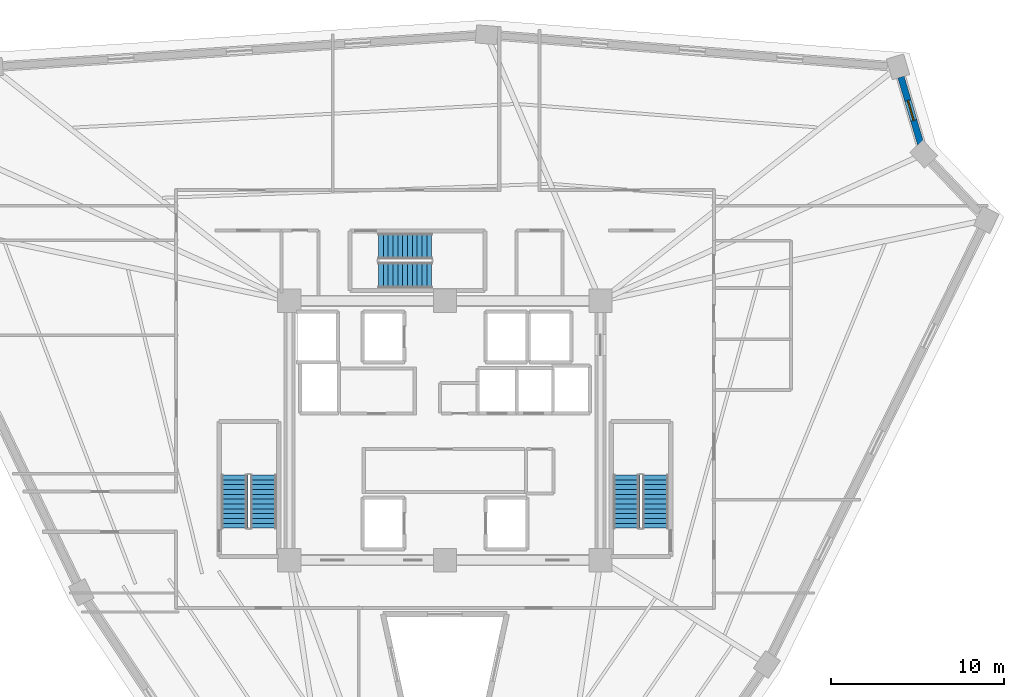
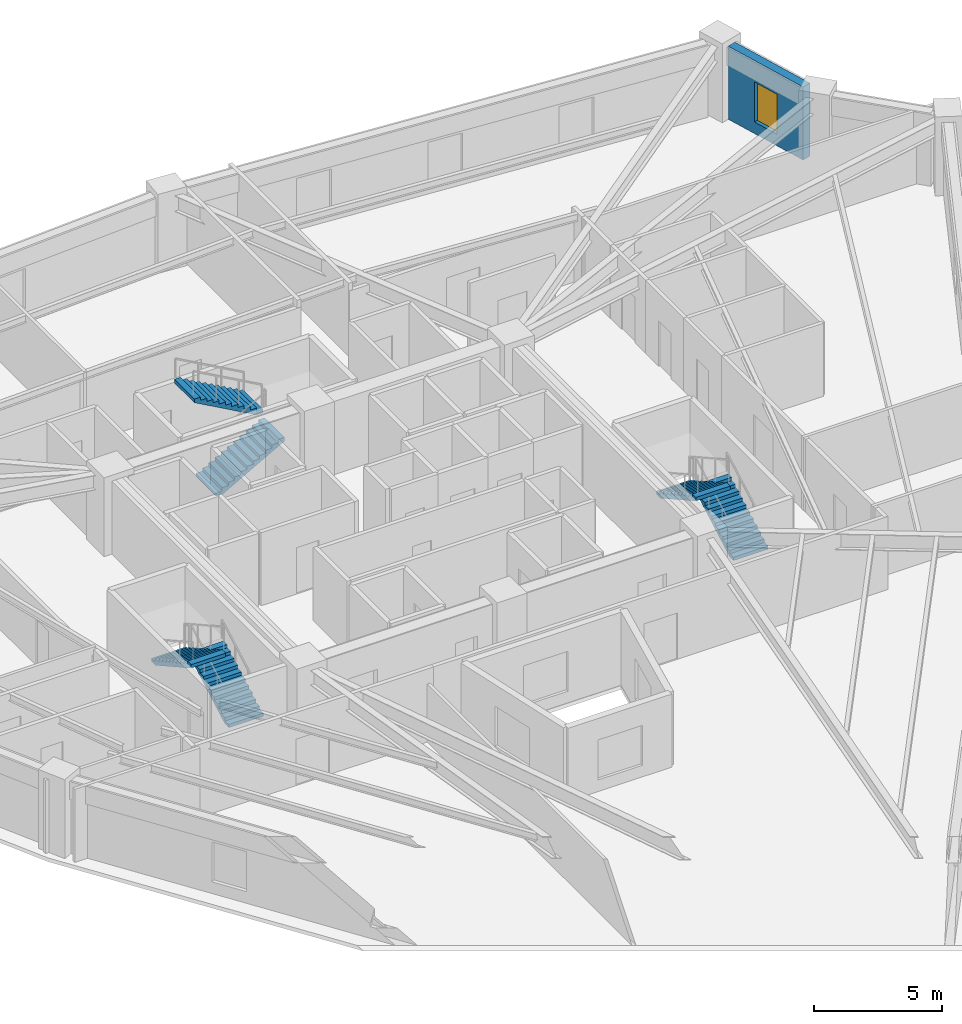
# One storey, part 7 of 8: 6 stair flights, 1 wall, 1 window, 1 opening, 3 elements without a shape of their own.
"""IFC4 building model written with IfcOpenShell, lengths in metres."""

import ifcopenshell
import ifcopenshell.guid

model = None  # the IFC model being written
_history = None  # IfcOwnerHistory: only IFC2X3 demands one
_inside = {}  # id of a spatial element -> (the spatial element, [elements in it])
_under = {}  # id of a project, library or spatial element -> (it, [spatial elements below it])
_declared = {}  # id of a project -> (the project, [libraries it declares])
_typed = {}  # id of a type object -> (the type object, [elements of that type])
_made_of = {}  # id of a material, layer set ... -> (it, [elements and type objects made of it])


def new_model(schema):
    """Start an empty IFC model of exactly this schema.

    Asked for "IFC4X3", IfcOpenShell would pick the latest addendum, in which some entities
    have other attributes; the version numbers below select the first issue.
    IFC2X3 requires an IfcOwnerHistory on every rooted entity: one is made here for all.
    """
    global model, _history
    if schema == "IFC4X3":
        model = ifcopenshell.file(schema_version=(4, 3, 0, 0))
    else:
        model = ifcopenshell.file(schema=schema)
    _inside.clear()
    _under.clear()
    _declared.clear()
    _typed.clear()
    _made_of.clear()
    _history = None
    if model.schema == "IFC2X3":
        org = make("IfcOrganization", Name="unknown")
        user = make(
            "IfcPersonAndOrganization",
            ThePerson=make("IfcPerson", FamilyName="unknown"),
            TheOrganization=org,
        )
        app = make(
            "IfcApplication",
            ApplicationDeveloper=org,
            Version="unknown",
            ApplicationFullName="unknown",
            ApplicationIdentifier="unknown",
        )
        _history = make(
            "IfcOwnerHistory",
            OwningUser=user,
            OwningApplication=app,
            ChangeAction="ADDED",
            CreationDate=0,
        )
    return model


def make(cls, **values):
    """One entity of the class cls with the attributes given. An attribute that is None is left unset."""
    return model.create_entity(
        cls, **{name: value for name, value in values.items() if value is not None}
    )


def rooted(cls, **values):
    """An entity with a GlobalId (a new one), such as an element, a storey or a relation."""
    return make(cls, GlobalId=ifcopenshell.guid.new(), OwnerHistory=_history, **values)


def si_unit(unit_type, name, prefix=None):
    """IfcSIUnit, for example si_unit("LENGTHUNIT", "METRE", prefix="MILLI")."""
    return make("IfcSIUnit", UnitType=unit_type, Prefix=prefix, Name=name)


def assignment(units):
    """IfcUnitAssignment: the units of a project."""
    return None if units is None else make("IfcUnitAssignment", Units=units)


def point(xyz):
    """IfcCartesianPoint."""
    return None if xyz is None else make("IfcCartesianPoint", Coordinates=xyz)


def direction(xyz):
    """IfcDirection."""
    return None if xyz is None else make("IfcDirection", DirectionRatios=xyz)


def frame(location, z_axis=None, x_axis=None):
    """IfcAxis2Placement3D, a coordinate frame: its origin and axes. An axis left out is left unset."""
    return make(
        "IfcAxis2Placement3D",
        Location=point(location),
        Axis=direction(z_axis),
        RefDirection=direction(x_axis),
    )


def frame_2d(location, x_axis=None):
    """IfcAxis2Placement2D, a coordinate frame in the plane: its origin and x axis."""
    return make(
        "IfcAxis2Placement2D", Location=point(location), RefDirection=direction(x_axis)
    )


def origin():
    """The frame at (0, 0, 0) with its axes left unset."""
    return frame((0.0, 0.0, 0.0))


def place(relative_to, where):
    """IfcLocalPlacement: puts the frame where relative to a parent placement (None: the world)."""
    return make(
        "IfcLocalPlacement", PlacementRelTo=relative_to, RelativePlacement=where
    )


def context(
    kind, dimensions, precision=None, world=None, true_north=None, identifier=None
):
    """IfcGeometricRepresentationContext, for example the 3D "Model" context."""
    return make(
        "IfcGeometricRepresentationContext",
        ContextIdentifier=identifier,
        ContextType=kind,
        CoordinateSpaceDimension=dimensions,
        Precision=precision,
        WorldCoordinateSystem=world,
        TrueNorth=true_north,
    )


def subcontext(parent, identifier, kind, view, scale=None):
    """IfcGeometricRepresentationSubContext, for example "Body" below "Model"."""
    return make(
        "IfcGeometricRepresentationSubContext",
        ContextIdentifier=identifier,
        ContextType=kind,
        ParentContext=parent,
        TargetScale=scale,
        TargetView=view,
    )


def project(units=None, contexts=None):
    """IfcProject with its units and contexts."""
    return rooted(
        "IfcProject",
        Name="project",
        RepresentationContexts=contexts,
        UnitsInContext=assignment(units),
    )


def spatial(cls, under=None, at=None, **own):
    """A site, building, storey or space (cls), placed at a placement, below another one or the project."""
    s = rooted(cls, ObjectPlacement=at, **own)
    if under is not None:
        _under.setdefault(under.id(), (under, []))[1].append(s)
    return s


def polyline(points):
    """IfcPolyline through the points."""
    return make("IfcPolyline", Points=[point(p) for p in points])


def profile(cls, at=None, kind="AREA", **sizes):
    """A parametric profile (cls). Its sizes go by their IFC names, for example OverallWidth=200.0."""
    return make(cls, ProfileType=kind, Position=at, **sizes)


def rectangle(**sizes):
    """IfcRectangleProfileDef."""
    return profile("IfcRectangleProfileDef", **sizes)


def outline(outer, holes=None, kind="AREA"):
    """IfcArbitraryClosedProfileDef: a profile drawn as a closed curve; with holes, ...WithVoids."""
    if holes is None:
        return make("IfcArbitraryClosedProfileDef", ProfileType=kind, OuterCurve=outer)
    return make(
        "IfcArbitraryProfileDefWithVoids",
        ProfileType=kind,
        OuterCurve=outer,
        InnerCurves=holes,
    )


def extrude(swept, where, along, depth):
    """IfcExtrudedAreaSolid: the profile swept, set in the frame where, extruded along a direction by depth."""
    return make(
        "IfcExtrudedAreaSolid",
        SweptArea=swept,
        Position=where,
        ExtrudedDirection=direction(along),
        Depth=depth,
    )


def shape(context_of_items, identifier, shape_type, items):
    """IfcShapeRepresentation: the items that make up one representation, for example the "Body"."""
    return make(
        "IfcShapeRepresentation",
        ContextOfItems=context_of_items,
        RepresentationIdentifier=identifier,
        RepresentationType=shape_type,
        Items=items,
    )


def source(mapping_origin, context_of_items, identifier, shape_type, items):
    """IfcRepresentationMap: a shape defined once, which mapped items show again and again."""
    return make(
        "IfcRepresentationMap",
        MappingOrigin=mapping_origin,
        MappedRepresentation=shape(context_of_items, identifier, shape_type, items),
    )


def transform(
    local_origin,
    x_axis=None,
    y_axis=None,
    z_axis=None,
    scale=None,
    scale2=None,
    scale3=None,
    uniform=True,
):
    """IfcCartesianTransformationOperator3D, or its non-uniform kind. x_axis, y_axis, z_axis: its Axis1, 2, 3."""
    if uniform:
        return make(
            "IfcCartesianTransformationOperator3D",
            Axis1=direction(x_axis),
            Axis2=direction(y_axis),
            LocalOrigin=point(local_origin),
            Scale=scale,
            Axis3=direction(z_axis),
        )
    return make(
        "IfcCartesianTransformationOperator3DnonUniform",
        Axis1=direction(x_axis),
        Axis2=direction(y_axis),
        LocalOrigin=point(local_origin),
        Scale=scale,
        Axis3=direction(z_axis),
        Scale2=scale2,
        Scale3=scale3,
    )


def mapped(mapping_source, mapping_target):
    """IfcMappedItem: shows the shape of a source again, moved by a transform."""
    return make(
        "IfcMappedItem", MappingSource=mapping_source, MappingTarget=mapping_target
    )


def material(Name=None, Category=None):
    """IfcMaterial."""
    return make("IfcMaterial", Name=Name, Category=Category)


def layer(
    of_material, thickness, ventilated=None, Name=None, Category=None, Priority=None
):
    """IfcMaterialLayer: one layer of a wall or slab, of a material (None: an air gap)."""
    return make(
        "IfcMaterialLayer",
        Material=of_material,
        LayerThickness=thickness,
        IsVentilated=ventilated,
        Name=Name,
        Category=Category,
        Priority=Priority,
    )


def layer_set(layers, Name=None):
    """IfcMaterialLayerSet."""
    return make("IfcMaterialLayerSet", MaterialLayers=layers, LayerSetName=Name)


def made_of(thing, what):
    """Note that an element or type object is made of a material, layer set ...; save() writes the relation."""
    if what is not None:
        _made_of.setdefault(what.id(), (what, []))[1].append(thing)
    return thing


def type_object(cls, material=None, **own):
    """A type object (cls), such as IfcWallType, which elements share."""
    return made_of(rooted(cls, **own), material)


def element(
    cls,
    number,
    at=None,
    inside=None,
    cuts=None,
    type_object=None,
    material=None,
    context=None,
    identifier="Body",
    shape_type=None,
    held_by="IfcProductDefinitionShape",
    body=None,
    shapes=None,
    **own,
):
    """One element of the class cls, such as IfcWall. Its Tag is "e" and its number.

    at: its placement. inside: the storey or other place that contains it. cuts: it is an
    opening in that element (IfcRelVoidsElement). A single representation is given by context,
    identifier, shape_type and body (its items); several are given by shapes. held_by: the class
    of the entity that holds the representations. save() writes the other relations.
    """
    e = rooted(cls, Tag="e%d" % number, ObjectPlacement=at, **own)
    if body is not None:
        shapes = [shape(context, identifier, shape_type, body)]
    if shapes is not None:
        e.Representation = make(held_by, Representations=shapes)
    if inside is not None:
        _inside.setdefault(inside.id(), (inside, []))[1].append(e)
    if cuts is not None:
        rooted(
            "IfcRelVoidsElement", RelatingBuildingElement=cuts, RelatedOpeningElement=e
        )
    if type_object is not None:
        _typed.setdefault(type_object.id(), (type_object, []))[1].append(e)
    return made_of(e, material)


def fill(opening, filler):
    """IfcRelFillsElement: the door or window that sits in an opening."""
    return rooted(
        "IfcRelFillsElement",
        RelatingOpeningElement=opening,
        RelatedBuildingElement=filler,
    )


def aggregate(whole, parts):
    """IfcRelAggregates: a whole, such as a stair, and the parts it consists of."""
    return rooted("IfcRelAggregates", RelatingObject=whole, RelatedObjects=parts)


def save(model, path):
    """Write the relations noted so far, then the file.

    IfcRelAggregates (storeys below a building ...), IfcRelContainedInSpatialStructure (elements
    in a storey), IfcRelDefinesByType, IfcRelAssociatesMaterial and IfcRelDeclares: one each for
    every whole, place, type object, material and project.
    """
    for whole, parts in _under.values():
        aggregate(whole, parts)
    for where, things in _inside.values():
        rooted(
            "IfcRelContainedInSpatialStructure",
            RelatedElements=things,
            RelatingStructure=where,
        )
    for kind, things in _typed.values():
        rooted("IfcRelDefinesByType", RelatedObjects=things, RelatingType=kind)
    for what, things in _made_of.values():
        rooted("IfcRelAssociatesMaterial", RelatedObjects=things, RelatingMaterial=what)
    for by, libraries in _declared.values():
        rooted("IfcRelDeclares", RelatingContext=by, RelatedDefinitions=libraries)
    model.write(path)


model = new_model("IFC4")

# Units and contexts
model_context = context("Model", 3, precision=1e-05, world=origin(), true_north=direction((0.0, 1.0)))
body_context = subcontext(model_context, "Body", "Model", "MODEL_VIEW")
ifc_project = project(units=[si_unit("LENGTHUNIT", "METRE"), si_unit("AREAUNIT", "SQUARE_METRE"), si_unit("VOLUMEUNIT", "CUBIC_METRE"), si_unit("PLANEANGLEUNIT", "RADIAN"), si_unit("MASSUNIT", "GRAM", prefix="KILO")], contexts=[model_context])

# Site, building, storey
site_placement = place(None, origin())
site = spatial("IfcSite", under=ifc_project, at=site_placement, CompositionType="ELEMENT")
building_placement = place(site_placement, origin())
building = spatial("IfcBuilding", under=site, at=building_placement, Name="Liaohun Quay Tower", CompositionType="ELEMENT")
storey_placement = place(building_placement, frame((0.0, 0.0, 273.75)))
storey = spatial("IfcBuildingStorey", under=building, at=storey_placement, Name="L71", CompositionType="ELEMENT", Elevation=273.75)

# Wall, opening, window
ifc_material_1 = material(Name="Precast concrete C50 insulated sandwich", Category="concrete")
ifc_layer = layer(ifc_material_1, 0.3798828125, Name="Precast concrete C50 insulated sandwich", Category="concrete")
ifc_layer_set = layer_set([ifc_layer], Name="Precast concrete C50 insulated sandwich")
wall_type = type_object("IfcWallType", Name="WAL-EXT-Z34", PredefinedType="SOLIDWALL", material=ifc_layer_set)
wall_placement = place(storey_placement, frame((87.52392578125, 70.58203125, 0.0), z_axis=(0.0, 0.0, 1.0), x_axis=(-0.282684192533, 0.959213035405, 0.0)))
wall = element("IfcWall", 1, at=wall_placement, inside=storey, type_object=wall_type, Name="L71 Brutalist Precast Pier Wall 05", PredefinedType="SOLIDWALL", context=body_context, shape_type="SweptSolid", body=[
    extrude(rectangle(XDim=4.032470703125, YDim=0.3798828125, at=frame_2d((2.01611328125, 0.0))), origin(), (0.0, 0.0, 1.0), 3.469970703125),
])
shared_shape_1 = source(origin(), body_context, "Body", "SweptSolid", [
    extrude(rectangle(XDim=1.199951171875, YDim=1.89990234375, at=frame_2d((0.60009765625, 0.949951171875))), frame((0.0, 0.199951171875, 0.0), z_axis=(0.0, -1.0, 0.0), x_axis=(1.0, 0.0, 0.0)), (0.0, 0.0, 1.0), 0.39990234375),
])
opening_placement = place(wall_placement, frame((1.416015625, 0.0, 0.550048828125)))
opening = element("IfcOpeningElement", 2, at=opening_placement, cuts=wall, Name="Opening W05", PredefinedType="OPENING", context=body_context, shape_type="MappedRepresentation", body=[
    mapped(shared_shape_1, transform((0.0, 0.0, 0.0), x_axis=(1.0, 0.0, 0.0), y_axis=(0.0, 1.0, 0.0), z_axis=(0.0, 0.0, 1.0), scale=1.0)),
])
ifc_material_2 = material(Name="Triple Low-E corner notch glazing", Category="glass")
window_type = type_object("IfcWindowType", Name="WIN-NOTCH", PartitioningType="SINGLE_PANEL", PredefinedType="WINDOW", material=ifc_material_2)
shared_shape_2 = source(origin(), body_context, "Body", "SweptSolid", [
    extrude(rectangle(XDim=1.199951171875, YDim=1.89990234375, at=frame_2d((0.60009765625, 0.949951171875))), frame((0.0, 0.030029296875, 0.0), z_axis=(0.0, -1.0, 0.0), x_axis=(1.0, 0.0, 0.0)), (0.0, 0.0, 1.0), 0.06005859375),
])
window_placement = place(opening_placement, origin())
window = element("IfcWindow", 3, at=window_placement, inside=storey, type_object=window_type, Name="L71 Corner Notch Window W05-05", OverallHeight=1.89990234375, OverallWidth=1.199951171875, PartitioningType="SINGLE_PANEL", PredefinedType="WINDOW", context=body_context, shape_type="MappedRepresentation", body=[
    mapped(shared_shape_2, transform((0.0, 0.0, 0.0), x_axis=(1.0, 0.0, 0.0), y_axis=(0.0, 1.0, 0.0), z_axis=(0.0, 0.0, 1.0), scale=1.0)),
])
fill(opening, window)

# Stair, stair flights
ifc_material_3 = material(Name="Concrete C45", Category="concrete")
stair_type = type_object("IfcStairType", Name="STR-CORE-OFF", PredefinedType="HALF_TURN_STAIR", material=ifc_material_3)
stair_1_placement = place(storey_placement, origin())
stair_1 = element("IfcStair", 4, at=stair_1_placement, inside=storey, type_object=stair_type, Name="L71 Smokeproof Core Exit Stair ST-1", PredefinedType="HALF_TURN_STAIR")
stair_flight_type = type_object("IfcStairFlightType", Name="FLT-CORE-155", PredefinedType="STRAIGHT", material=ifc_material_3)
stair_flight_1_placement = place(storey_placement, frame((49.5048828125, 48.35009765625, 0.0), z_axis=(0.0, 0.0, 1.0), x_axis=(0.0, 1.0, 0.0)))
stair_flight_1 = element("IfcStairFlight", 5, at=stair_flight_1_placement, type_object=stair_flight_type, Name="ST-1 flight 1", NumberOfRisers=12, NumberOfTreads=11, PredefinedType="STRAIGHT", RiserHeight=0.15625, TreadLength=0.28, context=body_context, shape_type="SweptSolid", body=[
    extrude(outline(polyline([(0.0, 0.0), (0.0, 0.15625), (0.280029296875, 0.15625), (0.280029296875, 0.3125), (0.56005859375, 0.3125), (0.56005859375, 0.46875), (0.840087890625, 0.46875), (0.840087890625, 0.625), (1.1201171875, 0.625), (1.1201171875, 0.78125), (1.39990234375, 0.78125), (1.39990234375, 0.9375), (1.679931640625, 0.9375), (1.679931640625, 1.09375), (1.9599609375, 1.09375), (1.9599609375, 1.25), (2.239990234375, 1.25), (2.239990234375, 1.40625), (2.52001953125, 1.40625), (2.52001953125, 1.5625), (2.800048828125, 1.5625), (2.800048828125, 1.71875), (3.080078125, 1.71875), (3.080078125, 1.875), (3.080078125, 1.547119140625), (0.3076171875, 0.0), (0.0, 0.0)])), frame((0.0, 0.77490234375, 0.0), z_axis=(0.0, -1.0, 0.0), x_axis=(1.0, 0.0, 0.0)), (0.0, 0.0, 1.0), 1.550048828125),
])
stair_flight_2_placement = place(storey_placement, frame((47.81494140625, 51.429931640625, 1.875), z_axis=(0.0, 0.0, 1.0), x_axis=(0.0, -1.0, 0.0)))
stair_flight_2 = element("IfcStairFlight", 6, at=stair_flight_2_placement, type_object=stair_flight_type, Name="ST-1 flight 2", NumberOfRisers=12, NumberOfTreads=11, PredefinedType="STRAIGHT", RiserHeight=0.15625, TreadLength=0.28, context=body_context, shape_type="SweptSolid", body=[
    extrude(outline(polyline([(0.0, 0.0), (0.0, 0.15625), (0.280029296875, 0.15625), (0.280029296875, 0.3125), (0.56005859375, 0.3125), (0.56005859375, 0.46875), (0.840087890625, 0.46875), (0.840087890625, 0.625), (1.1201171875, 0.625), (1.1201171875, 0.78125), (1.39990234375, 0.78125), (1.39990234375, 0.9375), (1.679931640625, 0.9375), (1.679931640625, 1.09375), (1.9599609375, 1.09375), (1.9599609375, 1.25), (2.239990234375, 1.25), (2.239990234375, 1.40625), (2.52001953125, 1.40625), (2.52001953125, 1.5625), (2.800048828125, 1.5625), (2.800048828125, 1.71875), (3.080078125, 1.71875), (3.080078125, 1.875), (3.080078125, 1.547119140625), (0.3076171875, 0.0), (0.0, 0.0)])), frame((0.0, 0.77490234375, 0.0), z_axis=(0.0, -1.0, 0.0), x_axis=(1.0, 0.0, 0.0)), (0.0, 0.0, 1.0), 1.550048828125),
])
aggregate(stair_1, [stair_flight_1, stair_flight_2])

stair_2_placement = place(storey_placement, origin())
stair_2 = element("IfcStair", 7, at=stair_2_placement, inside=storey, type_object=stair_type, Name="L71 Smokeproof Core Exit Stair ST-2", PredefinedType="HALF_TURN_STAIR")
stair_flight_3_placement = place(storey_placement, frame((72.18505859375, 48.35009765625, 0.0), z_axis=(0.0, 0.0, 1.0), x_axis=(0.0, 1.0, 0.0)))
stair_flight_3 = element("IfcStairFlight", 8, at=stair_flight_3_placement, type_object=stair_flight_type, Name="ST-2 flight 1", NumberOfRisers=12, NumberOfTreads=11, PredefinedType="STRAIGHT", RiserHeight=0.15625, TreadLength=0.28, context=body_context, shape_type="SweptSolid", body=[
    extrude(outline(polyline([(0.0, 0.0), (0.0, 0.15625), (0.280029296875, 0.15625), (0.280029296875, 0.3125), (0.56005859375, 0.3125), (0.56005859375, 0.46875), (0.840087890625, 0.46875), (0.840087890625, 0.625), (1.1201171875, 0.625), (1.1201171875, 0.78125), (1.39990234375, 0.78125), (1.39990234375, 0.9375), (1.679931640625, 0.9375), (1.679931640625, 1.09375), (1.9599609375, 1.09375), (1.9599609375, 1.25), (2.239990234375, 1.25), (2.239990234375, 1.40625), (2.52001953125, 1.40625), (2.52001953125, 1.5625), (2.800048828125, 1.5625), (2.800048828125, 1.71875), (3.080078125, 1.71875), (3.080078125, 1.875), (3.080078125, 1.547119140625), (0.3076171875, 0.0), (0.0, 0.0)])), frame((0.0, 0.77490234375, 0.0), z_axis=(0.0, -1.0, 0.0), x_axis=(1.0, 0.0, 0.0)), (0.0, 0.0, 1.0), 1.550048828125),
])
stair_flight_4_placement = place(storey_placement, frame((70.4951171875, 51.429931640625, 1.875), z_axis=(0.0, 0.0, 1.0), x_axis=(0.0, -1.0, 0.0)))
stair_flight_4 = element("IfcStairFlight", 9, at=stair_flight_4_placement, type_object=stair_flight_type, Name="ST-2 flight 2", NumberOfRisers=12, NumberOfTreads=11, PredefinedType="STRAIGHT", RiserHeight=0.15625, TreadLength=0.28, context=body_context, shape_type="SweptSolid", body=[
    extrude(outline(polyline([(0.0, 0.0), (0.0, 0.15625), (0.280029296875, 0.15625), (0.280029296875, 0.3125), (0.56005859375, 0.3125), (0.56005859375, 0.46875), (0.840087890625, 0.46875), (0.840087890625, 0.625), (1.1201171875, 0.625), (1.1201171875, 0.78125), (1.39990234375, 0.78125), (1.39990234375, 0.9375), (1.679931640625, 0.9375), (1.679931640625, 1.09375), (1.9599609375, 1.09375), (1.9599609375, 1.25), (2.239990234375, 1.25), (2.239990234375, 1.40625), (2.52001953125, 1.40625), (2.52001953125, 1.5625), (2.800048828125, 1.5625), (2.800048828125, 1.71875), (3.080078125, 1.71875), (3.080078125, 1.875), (3.080078125, 1.547119140625), (0.3076171875, 0.0), (0.0, 0.0)])), frame((0.0, 0.77490234375, 0.0), z_axis=(0.0, -1.0, 0.0), x_axis=(1.0, 0.0, 0.0)), (0.0, 0.0, 1.0), 1.550048828125),
])
aggregate(stair_2, [stair_flight_3, stair_flight_4])

stair_3_placement = place(storey_placement, origin())
stair_3 = element("IfcStair", 10, at=stair_3_placement, inside=storey, type_object=stair_type, Name="L71 Smokeproof Core Exit Stair ST-3", PredefinedType="HALF_TURN_STAIR")
stair_flight_5_placement = place(storey_placement, frame((56.14990234375, 62.97509765625, 0.0), z_axis=(0.0, 0.0, 1.0), x_axis=(1.0, 0.0, 0.0)))
stair_flight_5 = element("IfcStairFlight", 11, at=stair_flight_5_placement, type_object=stair_flight_type, Name="ST-3 flight 1", NumberOfRisers=12, NumberOfTreads=11, PredefinedType="STRAIGHT", RiserHeight=0.15625, TreadLength=0.28, context=body_context, shape_type="SweptSolid", body=[
    extrude(outline(polyline([(0.0, 0.0), (0.0, 0.15625), (0.280029296875, 0.15625), (0.280029296875, 0.3125), (0.56005859375, 0.3125), (0.56005859375, 0.46875), (0.840087890625, 0.46875), (0.840087890625, 0.625), (1.1201171875, 0.625), (1.1201171875, 0.78125), (1.39990234375, 0.78125), (1.39990234375, 0.9375), (1.679931640625, 0.9375), (1.679931640625, 1.09375), (1.9599609375, 1.09375), (1.9599609375, 1.25), (2.239990234375, 1.25), (2.239990234375, 1.40625), (2.52001953125, 1.40625), (2.52001953125, 1.5625), (2.800048828125, 1.5625), (2.800048828125, 1.71875), (3.080078125, 1.71875), (3.080078125, 1.875), (3.080078125, 1.547119140625), (0.3076171875, 0.0), (0.0, 0.0)])), frame((0.0, 0.77490234375, 0.0), z_axis=(0.0, -1.0, 0.0), x_axis=(1.0, 0.0, 0.0)), (0.0, 0.0, 1.0), 1.550048828125),
])
stair_flight_6_placement = place(storey_placement, frame((59.22998046875, 64.6650390625, 1.875), z_axis=(0.0, 0.0, 1.0), x_axis=(-1.0, 0.0, 0.0)))
stair_flight_6 = element("IfcStairFlight", 12, at=stair_flight_6_placement, type_object=stair_flight_type, Name="ST-3 flight 2", NumberOfRisers=12, NumberOfTreads=11, PredefinedType="STRAIGHT", RiserHeight=0.15625, TreadLength=0.28, context=body_context, shape_type="SweptSolid", body=[
    extrude(outline(polyline([(0.0, 0.0), (0.0, 0.15625), (0.280029296875, 0.15625), (0.280029296875, 0.3125), (0.56005859375, 0.3125), (0.56005859375, 0.46875), (0.840087890625, 0.46875), (0.840087890625, 0.625), (1.1201171875, 0.625), (1.1201171875, 0.78125), (1.39990234375, 0.78125), (1.39990234375, 0.9375), (1.679931640625, 0.9375), (1.679931640625, 1.09375), (1.9599609375, 1.09375), (1.9599609375, 1.25), (2.239990234375, 1.25), (2.239990234375, 1.40625), (2.52001953125, 1.40625), (2.52001953125, 1.5625), (2.800048828125, 1.5625), (2.800048828125, 1.71875), (3.080078125, 1.71875), (3.080078125, 1.875), (3.080078125, 1.547119140625), (0.3076171875, 0.0), (0.0, 0.0)])), frame((0.0, 0.77490234375, 0.0), z_axis=(0.0, -1.0, 0.0), x_axis=(1.0, 0.0, 0.0)), (0.0, 0.0, 1.0), 1.550048828125),
])
aggregate(stair_3, [stair_flight_5, stair_flight_6])

save(model, "model.ifc")
